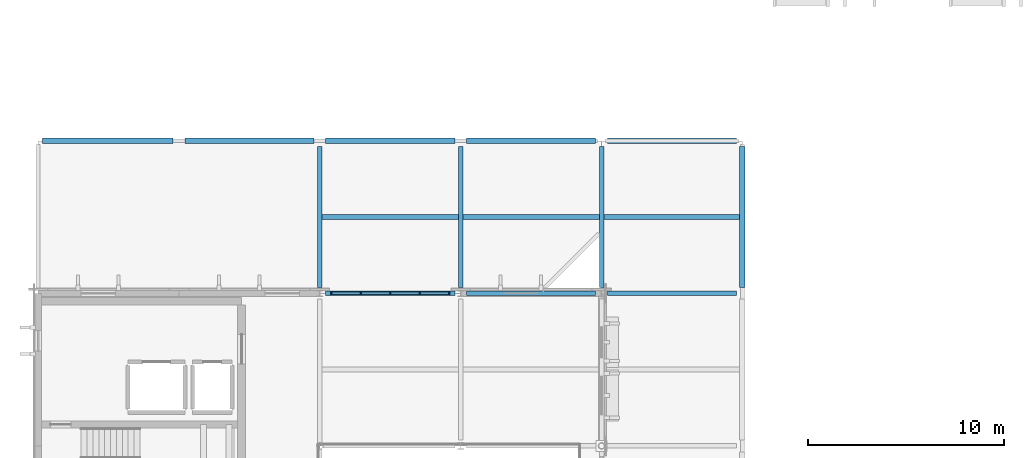
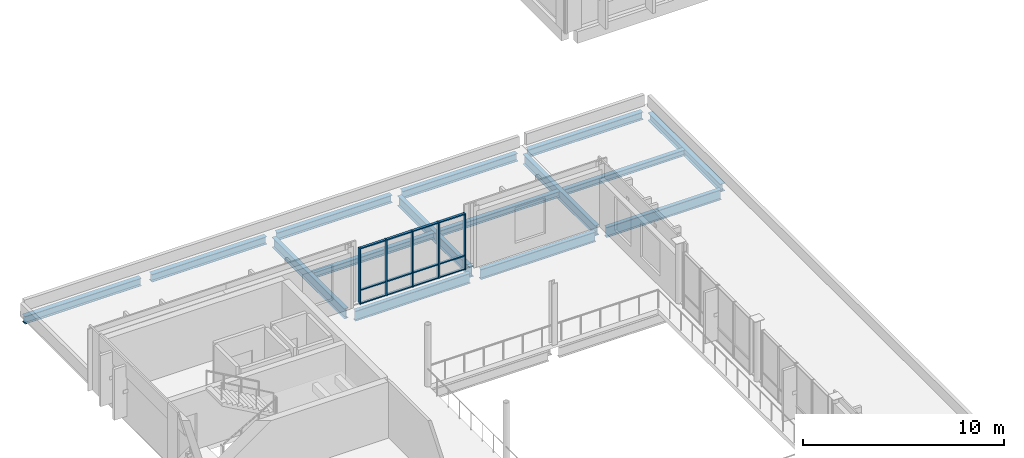
# One storey, part 19 of 73: 17 members, 15 beams, 1 element without a shape of its own.
"""IFC4 building model written with IfcOpenShell, lengths in metres."""

from ifc_helpers import new_model, si_unit, direction, frame, origin, origin_2d, place, context, subcontext, project, spatial, rectangle, i_section, extrude, material, material_profile, profile_set, type_object, element, aggregate, save


model = new_model("IFC4")

# Units and contexts
model_context = context("Model", 3, precision=1e-05, world=origin(), true_north=direction((0.0, 1.0)))
body_context = subcontext(model_context, "Body", "Model", "MODEL_VIEW")
ifc_project = project(units=[si_unit("LENGTHUNIT", "METRE"), si_unit("AREAUNIT", "SQUARE_METRE"), si_unit("VOLUMEUNIT", "CUBIC_METRE"), si_unit("PLANEANGLEUNIT", "RADIAN"), si_unit("MASSUNIT", "GRAM", prefix="KILO")], contexts=[model_context])

# Site, building, storey
site_placement = place(None, origin())
site = spatial("IfcSite", under=ifc_project, at=site_placement, CompositionType="ELEMENT")
building_placement = place(site_placement, origin())
building = spatial("IfcBuilding", under=site, at=building_placement, Name="Vervanel Yard Central Library", CompositionType="ELEMENT")
storey_placement = place(building_placement, frame((0.0, 0.0, 12.780029296875)))
storey = spatial("IfcBuildingStorey", under=building, at=storey_placement, Name="L03", CompositionType="ELEMENT", Elevation=12.780029296875)

# Curtain wall, members
ifc_material_1 = material(Name="Thermally broken anodized aluminium 6063-T6", Category="aluminium")
curtain_wall_type = type_object("IfcCurtainWallType", Name="Atrium Courtyard Curtain Wall", PredefinedType="NOTDEFINED", material=ifc_material_1)
curtain_wall_placement = place(storey_placement, origin())
curtain_wall = element("IfcCurtainWall", 1, at=curtain_wall_placement, inside=storey, type_object=curtain_wall_type, Name="L03 Atrium Courtyard Curtain Wall CWR-L03-042", PredefinedType="NOTDEFINED")
ifc_material_profile_1 = material_profile(ifc_material_1, rectangle(XDim=0.06494140625, YDim=0.18994140625, at=origin_2d()), Name="ALU 65x190", Category="aluminium")
ifc_profile_set_1 = profile_set([ifc_material_profile_1], Name="Thermally broken anodized aluminium 6063-T6")
member_type_1 = type_object("IfcMemberType", Name="Curtain Wall Primary Mullion 65x190", PredefinedType="MULLION", material=ifc_profile_set_1)
member_1_placement = place(storey_placement, frame((14.992431640625, 66.60009765625, 0.0), z_axis=(0.0, 0.0, 1.0), x_axis=(1.0, 0.0, 0.0)))
member_1 = element("IfcMember", 2, at=member_1_placement, type_object=member_type_1, Name="CWR-L03-042 Mullion 1", PredefinedType="MULLION", context=body_context, shape_type="SweptSolid", body=[
    extrude(rectangle(XDim=0.06494140625, YDim=0.18994140625, at=origin_2d()), origin(), (0.0, 0.0, 1.0), 3.39990234375),
])
member_2_placement = place(storey_placement, frame((16.496337890625, 66.60009765625, 0.0), z_axis=(0.0, 0.0, 1.0), x_axis=(1.0, 0.0, 0.0)))
member_2 = element("IfcMember", 3, at=member_2_placement, type_object=member_type_1, Name="CWR-L03-042 Mullion 2", PredefinedType="MULLION", context=body_context, shape_type="SweptSolid", body=[
    extrude(rectangle(XDim=0.06494140625, YDim=0.18994140625, at=origin_2d()), origin(), (0.0, 0.0, 1.0), 3.39990234375),
])
member_3_placement = place(storey_placement, frame((18.0, 66.60009765625, 0.0), z_axis=(0.0, 0.0, 1.0), x_axis=(1.0, 0.0, 0.0)))
member_3 = element("IfcMember", 4, at=member_3_placement, type_object=member_type_1, Name="CWR-L03-042 Mullion 3", PredefinedType="MULLION", context=body_context, shape_type="SweptSolid", body=[
    extrude(rectangle(XDim=0.06494140625, YDim=0.18994140625, at=origin_2d()), origin(), (0.0, 0.0, 1.0), 3.39990234375),
])
member_4_placement = place(storey_placement, frame((19.503662109375, 66.60009765625, 0.0), z_axis=(0.0, 0.0, 1.0), x_axis=(1.0, 0.0, 0.0)))
member_4 = element("IfcMember", 5, at=member_4_placement, type_object=member_type_1, Name="CWR-L03-042 Mullion 4", PredefinedType="MULLION", context=body_context, shape_type="SweptSolid", body=[
    extrude(rectangle(XDim=0.06494140625, YDim=0.18994140625, at=origin_2d()), origin(), (0.0, 0.0, 1.0), 3.39990234375),
])
member_5_placement = place(storey_placement, frame((21.007568359375, 66.60009765625, 0.0), z_axis=(0.0, 0.0, 1.0), x_axis=(1.0, 0.0, 0.0)))
member_5 = element("IfcMember", 6, at=member_5_placement, type_object=member_type_1, Name="CWR-L03-042 Mullion 5", PredefinedType="MULLION", context=body_context, shape_type="SweptSolid", body=[
    extrude(rectangle(XDim=0.06494140625, YDim=0.18994140625, at=origin_2d()), origin(), (0.0, 0.0, 1.0), 3.39990234375),
])
ifc_material_profile_2 = material_profile(ifc_material_1, rectangle(XDim=0.06494140625, YDim=0.139892578125, at=origin_2d()), Name="ALU 65x140", Category="aluminium")
ifc_profile_set_2 = profile_set([ifc_material_profile_2], Name="Thermally broken anodized aluminium 6063-T6")
member_type_2 = type_object("IfcMemberType", Name="Curtain Wall Transom 65x140", PredefinedType="NOTDEFINED", material=ifc_profile_set_2)
member_6_placement = place(storey_placement, frame((15.02490234375, 66.60009765625, 0.032470703125), z_axis=(1.0, 0.0, 0.0), x_axis=(0.0, 0.0, 1.0)))
member_6 = element("IfcMember", 7, at=member_6_placement, type_object=member_type_2, Name="CWR-L03-042 Transom B1-T1", ObjectType="TRANSOM", PredefinedType="USERDEFINED", context=body_context, shape_type="SweptSolid", body=[
    extrude(rectangle(XDim=0.06494140625, YDim=0.139892578125, at=origin_2d()), origin(), (0.0, 0.0, 1.0), 1.43896484375),
])
member_7_placement = place(storey_placement, frame((15.02490234375, 66.60009765625, 0.849853515625), z_axis=(1.0, 0.0, 0.0), x_axis=(0.0, 0.0, 1.0)))
member_7 = element("IfcMember", 8, at=member_7_placement, type_object=member_type_2, Name="CWR-L03-042 Transom B1-T2", ObjectType="TRANSOM", PredefinedType="USERDEFINED", context=body_context, shape_type="SweptSolid", body=[
    extrude(rectangle(XDim=0.06494140625, YDim=0.139892578125, at=origin_2d()), origin(), (0.0, 0.0, 1.0), 1.43896484375),
])
member_8_placement = place(storey_placement, frame((15.02490234375, 66.60009765625, 3.367431640625), z_axis=(1.0, 0.0, 0.0), x_axis=(0.0, 0.0, 1.0)))
member_8 = element("IfcMember", 9, at=member_8_placement, type_object=member_type_2, Name="CWR-L03-042 Transom B1-T3", ObjectType="TRANSOM", PredefinedType="USERDEFINED", context=body_context, shape_type="SweptSolid", body=[
    extrude(rectangle(XDim=0.06494140625, YDim=0.139892578125, at=origin_2d()), origin(), (0.0, 0.0, 1.0), 1.43896484375),
])
member_9_placement = place(storey_placement, frame((16.52880859375, 66.60009765625, 0.032470703125), z_axis=(1.0, 0.0, 0.0), x_axis=(0.0, 0.0, 1.0)))
member_9 = element("IfcMember", 10, at=member_9_placement, type_object=member_type_2, Name="CWR-L03-042 Transom B2-T1", ObjectType="TRANSOM", PredefinedType="USERDEFINED", context=body_context, shape_type="SweptSolid", body=[
    extrude(rectangle(XDim=0.06494140625, YDim=0.139892578125, at=origin_2d()), origin(), (0.0, 0.0, 1.0), 1.438720703125),
])
member_10_placement = place(storey_placement, frame((16.52880859375, 66.60009765625, 0.849853515625), z_axis=(1.0, 0.0, 0.0), x_axis=(0.0, 0.0, 1.0)))
member_10 = element("IfcMember", 11, at=member_10_placement, type_object=member_type_2, Name="CWR-L03-042 Transom B2-T2", ObjectType="TRANSOM", PredefinedType="USERDEFINED", context=body_context, shape_type="SweptSolid", body=[
    extrude(rectangle(XDim=0.06494140625, YDim=0.139892578125, at=origin_2d()), origin(), (0.0, 0.0, 1.0), 1.438720703125),
])
member_11_placement = place(storey_placement, frame((16.52880859375, 66.60009765625, 3.367431640625), z_axis=(1.0, 0.0, 0.0), x_axis=(0.0, 0.0, 1.0)))
member_11 = element("IfcMember", 12, at=member_11_placement, type_object=member_type_2, Name="CWR-L03-042 Transom B2-T3", ObjectType="TRANSOM", PredefinedType="USERDEFINED", context=body_context, shape_type="SweptSolid", body=[
    extrude(rectangle(XDim=0.06494140625, YDim=0.139892578125, at=origin_2d()), origin(), (0.0, 0.0, 1.0), 1.438720703125),
])
member_12_placement = place(storey_placement, frame((18.032470703125, 66.60009765625, 0.032470703125), z_axis=(1.0, 0.0, 0.0), x_axis=(0.0, 0.0, 1.0)))
member_12 = element("IfcMember", 13, at=member_12_placement, type_object=member_type_2, Name="CWR-L03-042 Transom B3-T1", ObjectType="TRANSOM", PredefinedType="USERDEFINED", context=body_context, shape_type="SweptSolid", body=[
    extrude(rectangle(XDim=0.06494140625, YDim=0.139892578125, at=origin_2d()), origin(), (0.0, 0.0, 1.0), 1.438720703125),
])
member_13_placement = place(storey_placement, frame((18.032470703125, 66.60009765625, 0.849853515625), z_axis=(1.0, 0.0, 0.0), x_axis=(0.0, 0.0, 1.0)))
member_13 = element("IfcMember", 14, at=member_13_placement, type_object=member_type_2, Name="CWR-L03-042 Transom B3-T2", ObjectType="TRANSOM", PredefinedType="USERDEFINED", context=body_context, shape_type="SweptSolid", body=[
    extrude(rectangle(XDim=0.06494140625, YDim=0.139892578125, at=origin_2d()), origin(), (0.0, 0.0, 1.0), 1.438720703125),
])
member_14_placement = place(storey_placement, frame((18.032470703125, 66.60009765625, 3.367431640625), z_axis=(1.0, 0.0, 0.0), x_axis=(0.0, 0.0, 1.0)))
member_14 = element("IfcMember", 15, at=member_14_placement, type_object=member_type_2, Name="CWR-L03-042 Transom B3-T3", ObjectType="TRANSOM", PredefinedType="USERDEFINED", context=body_context, shape_type="SweptSolid", body=[
    extrude(rectangle(XDim=0.06494140625, YDim=0.139892578125, at=origin_2d()), origin(), (0.0, 0.0, 1.0), 1.438720703125),
])
member_15_placement = place(storey_placement, frame((19.5361328125, 66.60009765625, 0.032470703125), z_axis=(1.0, 0.0, 0.0), x_axis=(0.0, 0.0, 1.0)))
member_15 = element("IfcMember", 16, at=member_15_placement, type_object=member_type_2, Name="CWR-L03-042 Transom B4-T1", ObjectType="TRANSOM", PredefinedType="USERDEFINED", context=body_context, shape_type="SweptSolid", body=[
    extrude(rectangle(XDim=0.06494140625, YDim=0.139892578125, at=origin_2d()), origin(), (0.0, 0.0, 1.0), 1.43896484375),
])
member_16_placement = place(storey_placement, frame((19.5361328125, 66.60009765625, 0.849853515625), z_axis=(1.0, 0.0, 0.0), x_axis=(0.0, 0.0, 1.0)))
member_16 = element("IfcMember", 17, at=member_16_placement, type_object=member_type_2, Name="CWR-L03-042 Transom B4-T2", ObjectType="TRANSOM", PredefinedType="USERDEFINED", context=body_context, shape_type="SweptSolid", body=[
    extrude(rectangle(XDim=0.06494140625, YDim=0.139892578125, at=origin_2d()), origin(), (0.0, 0.0, 1.0), 1.43896484375),
])
member_17_placement = place(storey_placement, frame((19.5361328125, 66.60009765625, 3.367431640625), z_axis=(1.0, 0.0, 0.0), x_axis=(0.0, 0.0, 1.0)))
member_17 = element("IfcMember", 18, at=member_17_placement, type_object=member_type_2, Name="CWR-L03-042 Transom B4-T3", ObjectType="TRANSOM", PredefinedType="USERDEFINED", context=body_context, shape_type="SweptSolid", body=[
    extrude(rectangle(XDim=0.06494140625, YDim=0.139892578125, at=origin_2d()), origin(), (0.0, 0.0, 1.0), 1.43896484375),
])
aggregate(curtain_wall, [member_1, member_2, member_3, member_4, member_5, member_6, member_7, member_8, member_9, member_10, member_11, member_12, member_13, member_14, member_15, member_16, member_17])

# Beams
ifc_material_2 = material(Name="Steel ASTM A992 Grade 50", Category="steel")
ifc_material_profile_3 = material_profile(ifc_material_2, i_section(OverallWidth=0.25390625, OverallDepth=0.355712890625, WebThickness=0.010498046875, FlangeThickness=0.018310546875, at=origin_2d()), Name="W14X68", Category="steel")
ifc_profile_set_3 = profile_set([ifc_material_profile_3], Name="Steel ASTM A992 Grade 50")
beam_type_1 = type_object("IfcBeamType", Name="Steel Atrium Edge Joist W14X68", PredefinedType="JOIST", material=ifc_profile_set_3)
for number, where, z_axis, x_axis, name in (
    (19, (14.5146484375, 70.5, -0.432861328125), (1.0, 0.0, 0.0), (0.0, 1.0, 0.0), "L03 Floor Joist SJ-06 Y=70.50 X=14.4-21.6"),
    (20, (21.714599609375, 70.5, -0.432861328125), (1.0, 0.0, 0.0), (0.0, 1.0, 0.0), "L03 Floor Joist SJ-06 Y=70.50 X=21.6-28.8"),
):
    element("IfcBeam", number, at=place(storey_placement, frame(where, z_axis=z_axis, x_axis=x_axis)), inside=storey, type_object=beam_type_1, Name=name, PredefinedType="JOIST", context=body_context, shape_type="SweptSolid", body=[
        extrude(i_section(OverallWidth=0.25390625, OverallDepth=0.355712890625, WebThickness=0.010498046875, FlangeThickness=0.018310546875, at=origin_2d()), origin(), (0.0, 0.0, 1.0), 6.970703125),
    ])
beam_1_placement = place(storey_placement, frame((28.91455078125, 70.5, -0.432861328125), z_axis=(1.0, 0.0, 0.0), x_axis=(0.0, 1.0, 0.0)))
element("IfcBeam", 21, at=beam_1_placement, inside=storey, type_object=beam_type_1, Name="L03 Floor Joist SJ-06 Y=70.50 X=28.8-36.0", PredefinedType="JOIST", context=body_context, shape_type="SweptSolid", body=[
    extrude(i_section(OverallWidth=0.25390625, OverallDepth=0.355712890625, WebThickness=0.010498046875, FlangeThickness=0.018310546875, at=origin_2d()), origin(), (0.0, 0.0, 1.0), 6.9443359375),
])
ifc_material_profile_4 = material_profile(ifc_material_2, i_section(OverallWidth=0.22900390625, OverallDepth=0.612060546875, WebThickness=0.011962890625, FlangeThickness=0.01953125, at=origin_2d()), Name="W24X84", Category="steel")
ifc_profile_set_4 = profile_set([ifc_material_profile_4], Name="Steel ASTM A992 Grade 50")
beam_type_2 = type_object("IfcBeamType", Name="Steel Primary Girder W24X84", PredefinedType="BEAM", material=ifc_profile_set_4)
for number, where, z_axis, x_axis, name in (
    (22, (14.699951171875, 66.60009765625, -0.591064453125), (1.0, 0.0, 0.0), (0.0, 1.0, 0.0), "L03 Girder SB-01 Y=66.6 X=14.4-21.6"),
    (23, (21.89990234375, 66.60009765625, -0.591064453125), (1.0, 0.0, 0.0), (0.0, 1.0, 0.0), "L03 Girder SB-01 Y=66.6 X=21.6-28.8"),
):
    element("IfcBeam", number, at=place(storey_placement, frame(where, z_axis=z_axis, x_axis=x_axis)), inside=storey, type_object=beam_type_2, Name=name, PredefinedType="BEAM", context=body_context, shape_type="SweptSolid", body=[
        extrude(i_section(OverallWidth=0.22900390625, OverallDepth=0.612060546875, WebThickness=0.011962890625, FlangeThickness=0.01953125, at=origin_2d()), origin(), (0.0, 0.0, 1.0), 6.60009765625),
    ])
beam_2_placement = place(storey_placement, frame((29.10009765625, 66.60009765625, -0.56103515625), z_axis=(1.0, 0.0, 0.0), x_axis=(0.0, 1.0, 0.0)))
element("IfcBeam", 24, at=beam_2_placement, inside=storey, type_object=beam_type_2, Name="L03 Girder SB-01 Y=66.6 X=28.8-36.0", PredefinedType="BEAM", context=body_context, shape_type="SweptSolid", body=[
    extrude(i_section(OverallWidth=0.22900390625, OverallDepth=0.612060546875, WebThickness=0.011962890625, FlangeThickness=0.01953125, at=origin_2d()), origin(), (0.0, 0.0, 1.0), 6.599853515625),
])
for number, where, z_axis, x_axis, name in (
    (25, (14.39990234375, 66.89990234375, -0.56103515625), (0.0, 1.0, 0.0), (-1.0, 0.0, 0.0), "L03 Girder SB-01 X=14.4 Y=66.6-74.4"),
    (26, (21.60009765625, 66.89990234375, -0.56103515625), (0.0, 1.0, 0.0), (-1.0, 0.0, 0.0), "L03 Girder SB-01 X=21.6 Y=66.6-74.4"),
    (27, (28.800048828125, 66.89990234375, -0.56103515625), (0.0, 1.0, 0.0), (-1.0, 0.0, 0.0), "L03 Girder SB-01 X=28.8 Y=66.6-74.4"),
):
    element("IfcBeam", number, at=place(storey_placement, frame(where, z_axis=z_axis, x_axis=x_axis)), inside=storey, type_object=beam_type_2, Name=name, PredefinedType="BEAM", context=body_context, shape_type="SweptSolid", body=[
        extrude(i_section(OverallWidth=0.22900390625, OverallDepth=0.612060546875, WebThickness=0.011962890625, FlangeThickness=0.01953125, at=origin_2d()), origin(), (0.0, 0.0, 1.0), 7.2001953125),
    ])
ifc_material_profile_5 = material_profile(ifc_material_2, i_section(OverallWidth=0.281982421875, OverallDepth=0.46728515625, WebThickness=0.01220703125, FlangeThickness=0.01953125, at=origin_2d()), Name="W18X86", Category="steel")
ifc_profile_set_5 = profile_set([ifc_material_profile_5], Name="Steel ASTM A992 Grade 50")
beam_type_3 = type_object("IfcBeamType", Name="Steel Spandrel Beam W18X86", PredefinedType="SPANDREL", material=ifc_profile_set_5)
beam_3_placement = place(storey_placement, frame((0.2099609375, 74.39990234375, -0.48876953125), z_axis=(1.0, 0.0, 0.0), x_axis=(0.0, 1.0, 0.0)))
element("IfcBeam", 28, at=beam_3_placement, inside=storey, type_object=beam_type_3, Name="L03 Girder SP-02 Y=74.4 X=0.0-7.2", PredefinedType="SPANDREL", context=body_context, shape_type="SweptSolid", body=[
    extrude(i_section(OverallWidth=0.281982421875, OverallDepth=0.46728515625, WebThickness=0.01220703125, FlangeThickness=0.01953125, at=origin_2d()), origin(), (0.0, 0.0, 1.0), 6.68994140625),
])
for number, where, z_axis, x_axis, name in (
    (29, (7.5, 74.39990234375, -0.48876953125), (1.0, 0.0, 0.0), (0.0, 1.0, 0.0), "L03 Girder SP-02 Y=74.4 X=7.2-14.4"),
    (30, (14.699951171875, 74.39990234375, -0.48876953125), (1.0, 0.0, 0.0), (0.0, 1.0, 0.0), "L03 Girder SP-02 Y=74.4 X=14.4-21.6"),
    (31, (21.89990234375, 74.39990234375, -0.48876953125), (1.0, 0.0, 0.0), (0.0, 1.0, 0.0), "L03 Girder SP-02 Y=74.4 X=21.6-28.8"),
):
    element("IfcBeam", number, at=place(storey_placement, frame(where, z_axis=z_axis, x_axis=x_axis)), inside=storey, type_object=beam_type_3, Name=name, PredefinedType="SPANDREL", context=body_context, shape_type="SweptSolid", body=[
        extrude(i_section(OverallWidth=0.281982421875, OverallDepth=0.46728515625, WebThickness=0.01220703125, FlangeThickness=0.01953125, at=origin_2d()), origin(), (0.0, 0.0, 1.0), 6.60009765625),
    ])
beam_4_placement = place(storey_placement, frame((29.10009765625, 74.39990234375, -0.48876953125), z_axis=(1.0, 0.0, 0.0), x_axis=(0.0, 1.0, 0.0)))
element("IfcBeam", 32, at=beam_4_placement, inside=storey, type_object=beam_type_3, Name="L03 Girder SP-02 Y=74.4 X=28.8-36.0", PredefinedType="SPANDREL", context=body_context, shape_type="SweptSolid", body=[
    extrude(i_section(OverallWidth=0.281982421875, OverallDepth=0.46728515625, WebThickness=0.01220703125, FlangeThickness=0.01953125, at=origin_2d()), origin(), (0.0, 0.0, 1.0), 6.599853515625),
])
beam_5_placement = place(storey_placement, frame((36.0, 66.89990234375, -0.48876953125), z_axis=(0.0, 1.0, 0.0), x_axis=(-1.0, 0.0, 0.0)))
element("IfcBeam", 33, at=beam_5_placement, inside=storey, type_object=beam_type_3, Name="L03 Girder SP-02 X=36.0 Y=66.6-74.4", PredefinedType="SPANDREL", context=body_context, shape_type="SweptSolid", body=[
    extrude(i_section(OverallWidth=0.281982421875, OverallDepth=0.46728515625, WebThickness=0.01220703125, FlangeThickness=0.01953125, at=origin_2d()), origin(), (0.0, 0.0, 1.0), 7.2001953125),
])

save(model, "model.ifc")
